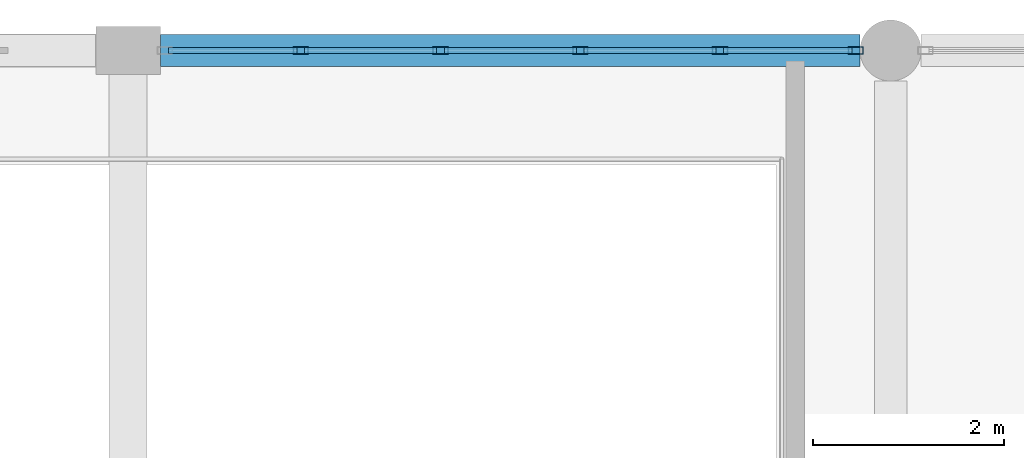
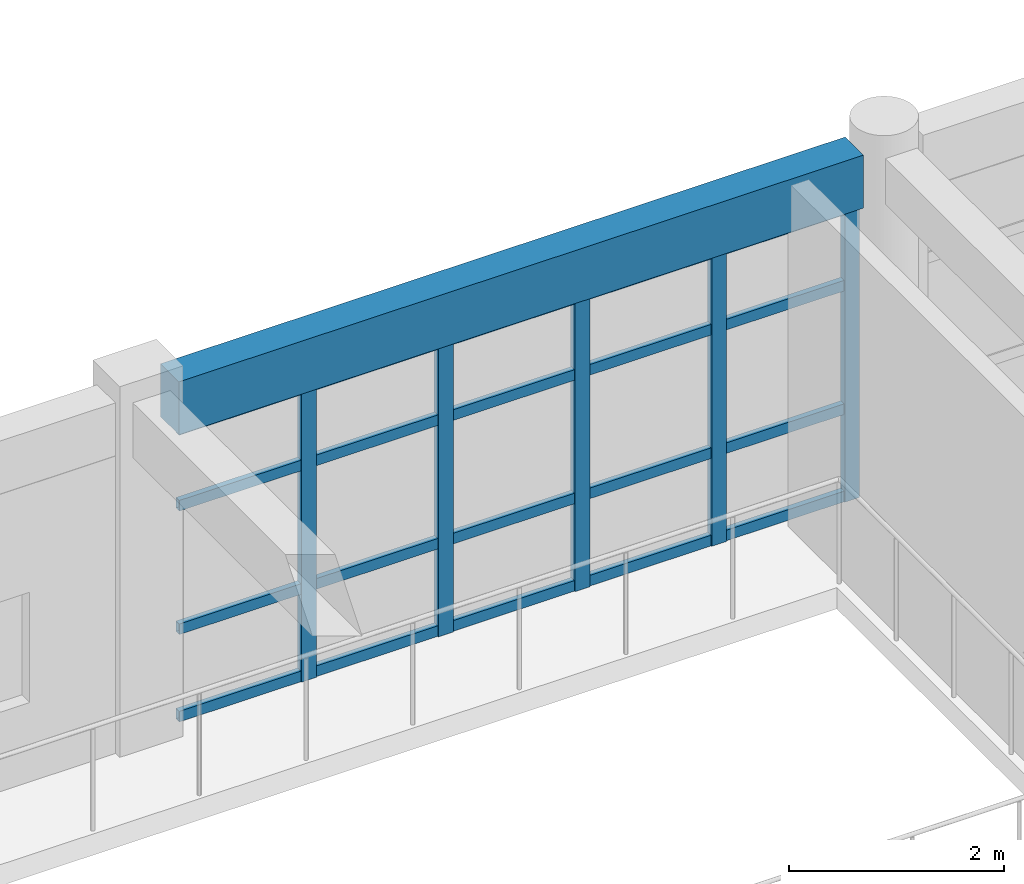
# One storey, part 12 of 53: 25 members, 1 beam, 1 element without a shape of its own.
"""IFC4 building model written with IfcOpenShell, lengths in metres."""

from ifc_helpers import new_model, si_unit, direction, frame, origin, origin_2d, place, context, subcontext, project, spatial, rectangle, hollow_rectangle, extrude, material, material_profile, profile_set, type_object, element, aggregate, save


model = new_model("IFC4")

# Units and contexts
model_context = context("Model", 3, precision=1e-05, world=origin(), true_north=direction((0.0, 1.0)))
body_context = subcontext(model_context, "Body", "Model", "MODEL_VIEW")
ifc_project = project(units=[si_unit("LENGTHUNIT", "METRE"), si_unit("AREAUNIT", "SQUARE_METRE"), si_unit("VOLUMEUNIT", "CUBIC_METRE"), si_unit("PLANEANGLEUNIT", "RADIAN"), si_unit("MASSUNIT", "GRAM", prefix="KILO")], contexts=[model_context])

# Site, building, storey
site_placement = place(None, origin())
site = spatial("IfcSite", under=ifc_project, at=site_placement, CompositionType="ELEMENT")
building_placement = place(site_placement, origin())
building = spatial("IfcBuilding", under=site, at=building_placement, Name="Kharva Crest Polytechnic", CompositionType="ELEMENT")
storey_placement = place(building_placement, frame((0.0, 0.0, 17.39990234375)))
storey = spatial("IfcBuildingStorey", under=building, at=storey_placement, Name="L04", CompositionType="ELEMENT", Elevation=17.39990234375)

# Curtain wall, members
ifc_material_1 = material(Name="Tempered insulated glass", Category="glass")
curtain_wall_type = type_object("IfcCurtainWallType", Name="CW-SYS-STUDIO", PredefinedType="USERDEFINED", material=ifc_material_1)
curtain_wall_placement = place(storey_placement, origin())
curtain_wall = element("IfcCurtainWall", 1, at=curtain_wall_placement, inside=storey, type_object=curtain_wall_type, Name="L04 Glazed Curtain Wall CW-179", ObjectType="CURTAIN WALL", PredefinedType="USERDEFINED")
ifc_material_2 = material(Name="Steel S355", Category="steel")
ifc_material_profile_1 = material_profile(ifc_material_2, hollow_rectangle(XDim=0.080078125, YDim=0.159912109375, WallThickness=0.0048828125, at=origin_2d()), Name="RHS 160X80X5.0")
ifc_profile_set_1 = profile_set([ifc_material_profile_1], Name="Steel S355")
member_type_1 = type_object("IfcMemberType", Name="CWM-RHS160X80", PredefinedType="MULLION", material=ifc_profile_set_1)
member_1_placement = place(storey_placement, frame((95.635009765625, 122.0, 0.0), z_axis=(0.0, 0.0, 1.0), x_axis=(0.0, -1.0, 0.0)))
member_1 = element("IfcMember", 2, at=member_1_placement, type_object=member_type_1, Name="CW-179 mullion 1", PredefinedType="MULLION", context=body_context, shape_type="SweptSolid", body=[
    extrude(hollow_rectangle(XDim=0.080078125, YDim=0.159912109375, WallThickness=0.0048828125, at=origin_2d()), origin(), (0.0, 0.0, 1.0), 3.3701171875),
])
member_2_placement = place(storey_placement, frame((94.208984375, 122.0, 0.0), z_axis=(0.0, 0.0, 1.0), x_axis=(0.0, -1.0, 0.0)))
member_2 = element("IfcMember", 3, at=member_2_placement, type_object=member_type_1, Name="CW-179 mullion 2", PredefinedType="MULLION", context=body_context, shape_type="SweptSolid", body=[
    extrude(hollow_rectangle(XDim=0.080078125, YDim=0.159912109375, WallThickness=0.0048828125, at=origin_2d()), origin(), (0.0, 0.0, 1.0), 3.3701171875),
])
member_3_placement = place(storey_placement, frame((92.742919921875, 122.0, 0.0), z_axis=(0.0, 0.0, 1.0), x_axis=(0.0, -1.0, 0.0)))
member_3 = element("IfcMember", 4, at=member_3_placement, type_object=member_type_1, Name="CW-179 mullion 3", PredefinedType="MULLION", context=body_context, shape_type="SweptSolid", body=[
    extrude(hollow_rectangle(XDim=0.080078125, YDim=0.159912109375, WallThickness=0.0048828125, at=origin_2d()), origin(), (0.0, 0.0, 1.0), 3.3701171875),
])
member_4_placement = place(storey_placement, frame((91.277099609375, 122.0, 0.0), z_axis=(0.0, 0.0, 1.0), x_axis=(0.0, -1.0, 0.0)))
member_4 = element("IfcMember", 5, at=member_4_placement, type_object=member_type_1, Name="CW-179 mullion 4", PredefinedType="MULLION", context=body_context, shape_type="SweptSolid", body=[
    extrude(hollow_rectangle(XDim=0.080078125, YDim=0.159912109375, WallThickness=0.0048828125, at=origin_2d()), origin(), (0.0, 0.0, 1.0), 3.3701171875),
])
member_5_placement = place(storey_placement, frame((89.81103515625, 122.0, 0.0), z_axis=(0.0, 0.0, 1.0), x_axis=(0.0, -1.0, 0.0)))
member_5 = element("IfcMember", 6, at=member_5_placement, type_object=member_type_1, Name="CW-179 mullion 5", PredefinedType="MULLION", context=body_context, shape_type="SweptSolid", body=[
    extrude(hollow_rectangle(XDim=0.080078125, YDim=0.159912109375, WallThickness=0.0048828125, at=origin_2d()), origin(), (0.0, 0.0, 1.0), 3.3701171875),
])
ifc_material_profile_2 = material_profile(ifc_material_2, hollow_rectangle(XDim=0.06005859375, YDim=0.1201171875, WallThickness=0.00390625, at=origin_2d()), Name="RHS 120X60X4.0")
ifc_profile_set_2 = profile_set([ifc_material_profile_2], Name="Steel S355")
member_type_2 = type_object("IfcMemberType", Name="CWT-RHS120X60", PredefinedType="USERDEFINED", material=ifc_profile_set_2)
member_6_placement = place(storey_placement, frame((95.594970703125, 122.0, 0.06005859375), z_axis=(-1.0, 0.0, 0.0), x_axis=(0.0, -1.0, 0.0)))
member_6 = element("IfcMember", 7, at=member_6_placement, type_object=member_type_2, Name="CW-179 transom 1.1", ObjectType="TRANSOM", PredefinedType="USERDEFINED", context=body_context, shape_type="SweptSolid", body=[
    extrude(hollow_rectangle(XDim=0.06005859375, YDim=0.1201171875, WallThickness=0.00390625, at=origin_2d()), origin(), (0.0, 0.0, 1.0), 1.345947265625),
])
member_7_placement = place(storey_placement, frame((95.594970703125, 122.0, 1.050048828125), z_axis=(-1.0, 0.0, 0.0), x_axis=(0.0, -1.0, 0.0)))
member_7 = element("IfcMember", 8, at=member_7_placement, type_object=member_type_2, Name="CW-179 transom 1.2", ObjectType="TRANSOM", PredefinedType="USERDEFINED", context=body_context, shape_type="SweptSolid", body=[
    extrude(hollow_rectangle(XDim=0.06005859375, YDim=0.1201171875, WallThickness=0.00390625, at=origin_2d()), origin(), (0.0, 0.0, 1.0), 1.345947265625),
])
member_8_placement = place(storey_placement, frame((95.594970703125, 122.0, 2.4501953125), z_axis=(-1.0, 0.0, 0.0), x_axis=(0.0, -1.0, 0.0)))
member_8 = element("IfcMember", 9, at=member_8_placement, type_object=member_type_2, Name="CW-179 transom 1.3", ObjectType="TRANSOM", PredefinedType="USERDEFINED", context=body_context, shape_type="SweptSolid", body=[
    extrude(hollow_rectangle(XDim=0.06005859375, YDim=0.1201171875, WallThickness=0.00390625, at=origin_2d()), origin(), (0.0, 0.0, 1.0), 1.345947265625),
])
member_9_placement = place(storey_placement, frame((95.594970703125, 122.0, 3.31005859375), z_axis=(-1.0, 0.0, 0.0), x_axis=(0.0, -1.0, 0.0)))
member_9 = element("IfcMember", 10, at=member_9_placement, type_object=member_type_2, Name="CW-179 transom 1.4", ObjectType="TRANSOM", PredefinedType="USERDEFINED", context=body_context, shape_type="SweptSolid", body=[
    extrude(hollow_rectangle(XDim=0.06005859375, YDim=0.1201171875, WallThickness=0.00390625, at=origin_2d()), origin(), (0.0, 0.0, 1.0), 1.345947265625),
])
member_10_placement = place(storey_placement, frame((94.1689453125, 122.0, 0.06005859375), z_axis=(-1.0, 0.0, 0.0), x_axis=(0.0, -1.0, 0.0)))
member_10 = element("IfcMember", 11, at=member_10_placement, type_object=member_type_2, Name="CW-179 transom 2.1", ObjectType="TRANSOM", PredefinedType="USERDEFINED", context=body_context, shape_type="SweptSolid", body=[
    extrude(hollow_rectangle(XDim=0.06005859375, YDim=0.1201171875, WallThickness=0.00390625, at=origin_2d()), origin(), (0.0, 0.0, 1.0), 1.385986328125),
])
member_11_placement = place(storey_placement, frame((94.1689453125, 122.0, 1.050048828125), z_axis=(-1.0, 0.0, 0.0), x_axis=(0.0, -1.0, 0.0)))
member_11 = element("IfcMember", 12, at=member_11_placement, type_object=member_type_2, Name="CW-179 transom 2.2", ObjectType="TRANSOM", PredefinedType="USERDEFINED", context=body_context, shape_type="SweptSolid", body=[
    extrude(hollow_rectangle(XDim=0.06005859375, YDim=0.1201171875, WallThickness=0.00390625, at=origin_2d()), origin(), (0.0, 0.0, 1.0), 1.385986328125),
])
member_12_placement = place(storey_placement, frame((94.1689453125, 122.0, 2.4501953125), z_axis=(-1.0, 0.0, 0.0), x_axis=(0.0, -1.0, 0.0)))
member_12 = element("IfcMember", 13, at=member_12_placement, type_object=member_type_2, Name="CW-179 transom 2.3", ObjectType="TRANSOM", PredefinedType="USERDEFINED", context=body_context, shape_type="SweptSolid", body=[
    extrude(hollow_rectangle(XDim=0.06005859375, YDim=0.1201171875, WallThickness=0.00390625, at=origin_2d()), origin(), (0.0, 0.0, 1.0), 1.385986328125),
])
member_13_placement = place(storey_placement, frame((94.1689453125, 122.0, 3.31005859375), z_axis=(-1.0, 0.0, 0.0), x_axis=(0.0, -1.0, 0.0)))
member_13 = element("IfcMember", 14, at=member_13_placement, type_object=member_type_2, Name="CW-179 transom 2.4", ObjectType="TRANSOM", PredefinedType="USERDEFINED", context=body_context, shape_type="SweptSolid", body=[
    extrude(hollow_rectangle(XDim=0.06005859375, YDim=0.1201171875, WallThickness=0.00390625, at=origin_2d()), origin(), (0.0, 0.0, 1.0), 1.385986328125),
])
member_14_placement = place(storey_placement, frame((92.702880859375, 122.0, 0.06005859375), z_axis=(-1.0, 0.0, 0.0), x_axis=(0.0, -1.0, 0.0)))
member_14 = element("IfcMember", 15, at=member_14_placement, type_object=member_type_2, Name="CW-179 transom 3.1", ObjectType="TRANSOM", PredefinedType="USERDEFINED", context=body_context, shape_type="SweptSolid", body=[
    extrude(hollow_rectangle(XDim=0.06005859375, YDim=0.1201171875, WallThickness=0.00390625, at=origin_2d()), origin(), (0.0, 0.0, 1.0), 1.385986328125),
])
member_15_placement = place(storey_placement, frame((92.702880859375, 122.0, 1.050048828125), z_axis=(-1.0, 0.0, 0.0), x_axis=(0.0, -1.0, 0.0)))
member_15 = element("IfcMember", 16, at=member_15_placement, type_object=member_type_2, Name="CW-179 transom 3.2", ObjectType="TRANSOM", PredefinedType="USERDEFINED", context=body_context, shape_type="SweptSolid", body=[
    extrude(hollow_rectangle(XDim=0.06005859375, YDim=0.1201171875, WallThickness=0.00390625, at=origin_2d()), origin(), (0.0, 0.0, 1.0), 1.385986328125),
])
member_16_placement = place(storey_placement, frame((92.702880859375, 122.0, 2.4501953125), z_axis=(-1.0, 0.0, 0.0), x_axis=(0.0, -1.0, 0.0)))
member_16 = element("IfcMember", 17, at=member_16_placement, type_object=member_type_2, Name="CW-179 transom 3.3", ObjectType="TRANSOM", PredefinedType="USERDEFINED", context=body_context, shape_type="SweptSolid", body=[
    extrude(hollow_rectangle(XDim=0.06005859375, YDim=0.1201171875, WallThickness=0.00390625, at=origin_2d()), origin(), (0.0, 0.0, 1.0), 1.385986328125),
])
member_17_placement = place(storey_placement, frame((92.702880859375, 122.0, 3.31005859375), z_axis=(-1.0, 0.0, 0.0), x_axis=(0.0, -1.0, 0.0)))
member_17 = element("IfcMember", 18, at=member_17_placement, type_object=member_type_2, Name="CW-179 transom 3.4", ObjectType="TRANSOM", PredefinedType="USERDEFINED", context=body_context, shape_type="SweptSolid", body=[
    extrude(hollow_rectangle(XDim=0.06005859375, YDim=0.1201171875, WallThickness=0.00390625, at=origin_2d()), origin(), (0.0, 0.0, 1.0), 1.385986328125),
])
member_18_placement = place(storey_placement, frame((91.237060546875, 122.0, 0.06005859375), z_axis=(-1.0, 0.0, 0.0), x_axis=(0.0, -1.0, 0.0)))
member_18 = element("IfcMember", 19, at=member_18_placement, type_object=member_type_2, Name="CW-179 transom 4.1", ObjectType="TRANSOM", PredefinedType="USERDEFINED", context=body_context, shape_type="SweptSolid", body=[
    extrude(hollow_rectangle(XDim=0.06005859375, YDim=0.1201171875, WallThickness=0.00390625, at=origin_2d()), origin(), (0.0, 0.0, 1.0), 1.385986328125),
])
member_19_placement = place(storey_placement, frame((91.237060546875, 122.0, 1.050048828125), z_axis=(-1.0, 0.0, 0.0), x_axis=(0.0, -1.0, 0.0)))
member_19 = element("IfcMember", 20, at=member_19_placement, type_object=member_type_2, Name="CW-179 transom 4.2", ObjectType="TRANSOM", PredefinedType="USERDEFINED", context=body_context, shape_type="SweptSolid", body=[
    extrude(hollow_rectangle(XDim=0.06005859375, YDim=0.1201171875, WallThickness=0.00390625, at=origin_2d()), origin(), (0.0, 0.0, 1.0), 1.385986328125),
])
member_20_placement = place(storey_placement, frame((91.237060546875, 122.0, 2.4501953125), z_axis=(-1.0, 0.0, 0.0), x_axis=(0.0, -1.0, 0.0)))
member_20 = element("IfcMember", 21, at=member_20_placement, type_object=member_type_2, Name="CW-179 transom 4.3", ObjectType="TRANSOM", PredefinedType="USERDEFINED", context=body_context, shape_type="SweptSolid", body=[
    extrude(hollow_rectangle(XDim=0.06005859375, YDim=0.1201171875, WallThickness=0.00390625, at=origin_2d()), origin(), (0.0, 0.0, 1.0), 1.385986328125),
])
member_21_placement = place(storey_placement, frame((91.237060546875, 122.0, 3.31005859375), z_axis=(-1.0, 0.0, 0.0), x_axis=(0.0, -1.0, 0.0)))
member_21 = element("IfcMember", 22, at=member_21_placement, type_object=member_type_2, Name="CW-179 transom 4.4", ObjectType="TRANSOM", PredefinedType="USERDEFINED", context=body_context, shape_type="SweptSolid", body=[
    extrude(hollow_rectangle(XDim=0.06005859375, YDim=0.1201171875, WallThickness=0.00390625, at=origin_2d()), origin(), (0.0, 0.0, 1.0), 1.385986328125),
])
member_22_placement = place(storey_placement, frame((89.77099609375, 122.0, 0.06005859375), z_axis=(-1.0, 0.0, 0.0), x_axis=(0.0, -1.0, 0.0)))
member_22 = element("IfcMember", 23, at=member_22_placement, type_object=member_type_2, Name="CW-179 transom 5.1", ObjectType="TRANSOM", PredefinedType="USERDEFINED", context=body_context, shape_type="SweptSolid", body=[
    extrude(hollow_rectangle(XDim=0.06005859375, YDim=0.1201171875, WallThickness=0.00390625, at=origin_2d()), origin(), (0.0, 0.0, 1.0), 1.345947265625),
])
member_23_placement = place(storey_placement, frame((89.77099609375, 122.0, 1.050048828125), z_axis=(-1.0, 0.0, 0.0), x_axis=(0.0, -1.0, 0.0)))
member_23 = element("IfcMember", 24, at=member_23_placement, type_object=member_type_2, Name="CW-179 transom 5.2", ObjectType="TRANSOM", PredefinedType="USERDEFINED", context=body_context, shape_type="SweptSolid", body=[
    extrude(hollow_rectangle(XDim=0.06005859375, YDim=0.1201171875, WallThickness=0.00390625, at=origin_2d()), origin(), (0.0, 0.0, 1.0), 1.345947265625),
])
member_24_placement = place(storey_placement, frame((89.77099609375, 122.0, 2.4501953125), z_axis=(-1.0, 0.0, 0.0), x_axis=(0.0, -1.0, 0.0)))
member_24 = element("IfcMember", 25, at=member_24_placement, type_object=member_type_2, Name="CW-179 transom 5.3", ObjectType="TRANSOM", PredefinedType="USERDEFINED", context=body_context, shape_type="SweptSolid", body=[
    extrude(hollow_rectangle(XDim=0.06005859375, YDim=0.1201171875, WallThickness=0.00390625, at=origin_2d()), origin(), (0.0, 0.0, 1.0), 1.345947265625),
])
member_25_placement = place(storey_placement, frame((89.77099609375, 122.0, 3.31005859375), z_axis=(-1.0, 0.0, 0.0), x_axis=(0.0, -1.0, 0.0)))
member_25 = element("IfcMember", 26, at=member_25_placement, type_object=member_type_2, Name="CW-179 transom 5.4", ObjectType="TRANSOM", PredefinedType="USERDEFINED", context=body_context, shape_type="SweptSolid", body=[
    extrude(hollow_rectangle(XDim=0.06005859375, YDim=0.1201171875, WallThickness=0.00390625, at=origin_2d()), origin(), (0.0, 0.0, 1.0), 1.345947265625),
])
aggregate(curtain_wall, [member_1, member_2, member_3, member_4, member_5, member_6, member_7, member_8, member_9, member_10, member_11, member_12, member_13, member_14, member_15, member_16, member_17, member_18, member_19, member_20, member_21, member_22, member_23, member_24, member_25])

# Beam
ifc_material_3 = material(Name="Concrete C35/45", Category="concrete")
ifc_material_profile_3 = material_profile(ifc_material_3, rectangle(XDim=0.340087890625, YDim=0.60009765625, at=origin_2d()), Name="RECT 340 X 600")
ifc_profile_set_3 = profile_set([ifc_material_profile_3], Name="Concrete C35/45")
beam_type = type_object("IfcBeamType", Name="SP-RC-340X600", PredefinedType="SPANDREL", material=ifc_profile_set_3)
beam_placement = place(storey_placement, frame((88.340087890625, 122.0, 3.670166015625), z_axis=(1.0, 0.0, 0.0), x_axis=(0.0, 1.0, 0.0)))
element("IfcBeam", 27, at=beam_placement, inside=storey, type_object=beam_type, Name="L04 Beam S/12-13", PredefinedType="SPANDREL", context=body_context, shape_type="SweptSolid", body=[
    extrude(rectangle(XDim=0.340087890625, YDim=0.60009765625, at=origin_2d()), origin(), (0.0, 0.0, 1.0), 7.33984375),
])

save(model, "model.ifc")
